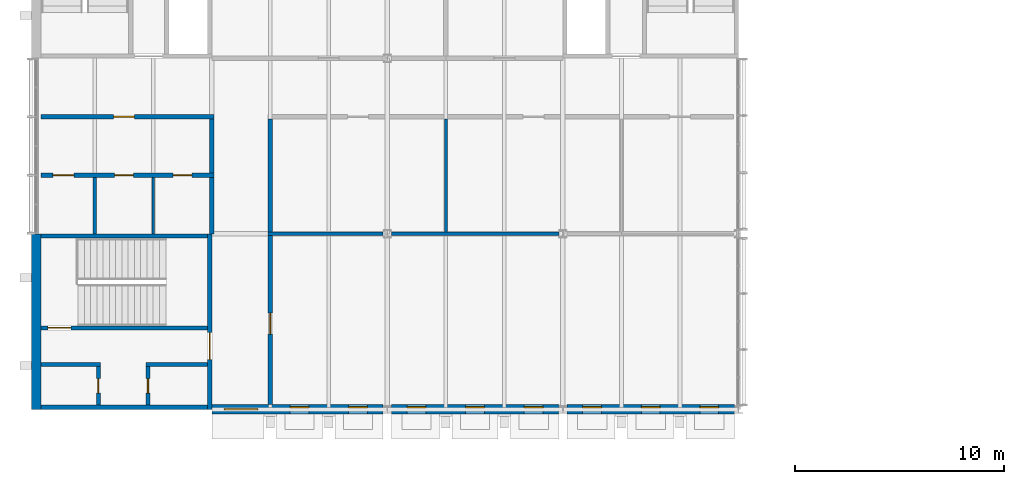
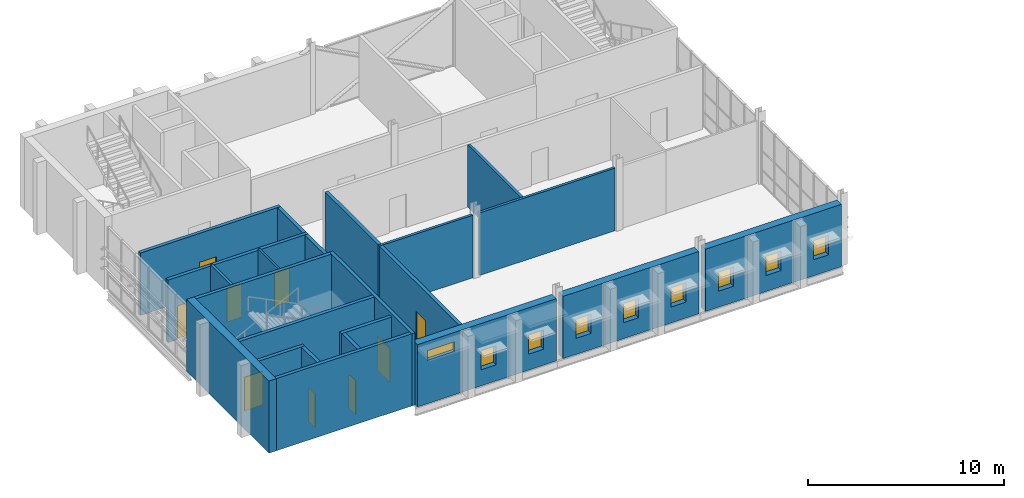
# One storey, part 14 of 22: 23 walls, 9 doors, 9 windows, 18 openings.
"""IFC4 building model written with IfcOpenShell, lengths in metres."""

from ifc_helpers import new_model, si_unit, direction, frame, frame_2d, origin, place, context, subcontext, project, spatial, rectangle, extrude, material, layer, layer_set, type_object, element, fill, save


model = new_model("IFC4")

# Units and contexts
model_context = context("Model", 3, precision=1e-05, world=origin(), true_north=direction((0.0, 1.0)))
body_context = subcontext(model_context, "Body", "Model", "MODEL_VIEW")
ifc_project = project(units=[si_unit("LENGTHUNIT", "METRE"), si_unit("AREAUNIT", "SQUARE_METRE"), si_unit("VOLUMEUNIT", "CUBIC_METRE"), si_unit("PLANEANGLEUNIT", "RADIAN"), si_unit("MASSUNIT", "GRAM", prefix="KILO")], contexts=[model_context])

# Site, building, storey
site_placement = place(None, origin())
site = spatial("IfcSite", under=ifc_project, at=site_placement, CompositionType="ELEMENT")
building_placement = place(site_placement, origin())
building = spatial("IfcBuilding", under=site, at=building_placement, Name="Ardhachandra Cancer Care Centre", CompositionType="ELEMENT")
storey_placement = place(building_placement, frame((0.0, 0.0, 18.0)))
storey = spatial("IfcBuildingStorey", under=building, at=storey_placement, Name="L04", CompositionType="ELEMENT", Elevation=18.0)

# Wall, openings, windows
ifc_material_1 = material(Name="Brick masonry (clay brick, cement mortar) with mineral wool cavity insulation", Category="masonry")
ifc_layer_1 = layer(ifc_material_1, 0.449951171875)
ifc_layer_set_1 = layer_set([ifc_layer_1], Name="Brick masonry (clay brick, cement mortar) with mineral wool cavity insulation")
wall_type_1 = type_object("IfcWallType", Name="Brick wall 450", PredefinedType="SOLIDWALL", material=ifc_layer_set_1)
wall_1_placement = place(storey_placement, frame((19.199951171875, 71.39990234375, 0.0), z_axis=(0.0, 0.0, 1.0), x_axis=(1.0, 0.0, 0.0)))
wall_1 = element("IfcWall", 1, at=wall_1_placement, inside=storey, type_object=wall_type_1, Name="E/wall/L04/s/0019200_0071400", PredefinedType="SOLIDWALL", context=body_context, shape_type="SweptSolid", body=[
    extrude(rectangle(XDim=8.20458984375, YDim=0.449951171875, at=frame_2d((4.102294921875, 0.0))), origin(), (0.0, 0.0, 1.0), 3.885986328125),
])
opening_1_placement = place(wall_1_placement, frame((0.60009765625, 0.0, 2.699951171875)))
opening_1 = element("IfcOpeningElement", 2, at=opening_1_placement, cuts=wall_1, Name="Opening W3", PredefinedType="OPENING", context=body_context, shape_type="SweptSolid", body=[
    extrude(rectangle(XDim=1.60009765625, YDim=0.60009765625, at=frame_2d((0.800048828125, 0.300048828125))), frame((0.0, 0.23486328125, 0.0), z_axis=(0.0, -1.0, 0.0), x_axis=(1.0, 0.0, 0.0)), (0.0, 0.0, 1.0), 0.469970703125),
])
opening_2_placement = place(wall_1_placement, frame((3.75, 0.0, 1.0)))
opening_2 = element("IfcOpeningElement", 3, at=opening_2_placement, cuts=wall_1, Name="Opening W10", PredefinedType="OPENING", context=body_context, shape_type="SweptSolid", body=[
    extrude(rectangle(XDim=0.89990234375, YDim=1.199951171875, at=frame_2d((0.449951171875, 0.60009765625))), frame((0.0, 0.23486328125, 0.0), z_axis=(0.0, -1.0, 0.0), x_axis=(1.0, 0.0, 0.0)), (0.0, 0.0, 1.0), 0.469970703125),
])
opening_3_placement = place(wall_1_placement, frame((6.550048828125, 0.0, 1.0)))
opening_3 = element("IfcOpeningElement", 4, at=opening_3_placement, cuts=wall_1, Name="Opening W10", PredefinedType="OPENING", context=body_context, shape_type="SweptSolid", body=[
    extrude(rectangle(XDim=0.89990234375, YDim=1.199951171875, at=frame_2d((0.449951171875, 0.60009765625))), frame((0.0, 0.23486328125, 0.0), z_axis=(0.0, -1.0, 0.0), x_axis=(1.0, 0.0, 0.0)), (0.0, 0.0, 1.0), 0.469970703125),
])
ifc_material_2 = material(Name="Aluminium frame with double-glazed unit", Category="aluminium")
window_type_1 = type_object("IfcWindowType", Name="Clerestory window 1600 x 600", PartitioningType="SINGLE_PANEL", PredefinedType="WINDOW", material=ifc_material_2)
window_1_placement = place(opening_1_placement, origin())
window_1 = element("IfcWindow", 5, at=window_1_placement, inside=storey, type_object=window_type_1, Name="W3 window L04 s/0019200_0071400 1", OverallHeight=0.60009765625, OverallWidth=1.60009765625, PartitioningType="SINGLE_PANEL", PredefinedType="WINDOW", context=body_context, shape_type="SweptSolid", body=[
    extrude(rectangle(XDim=1.60009765625, YDim=0.60009765625, at=frame_2d((0.800048828125, 0.300048828125))), frame((0.0, 0.030029296875, 0.0), z_axis=(0.0, -1.0, 0.0), x_axis=(1.0, 0.0, 0.0)), (0.0, 0.0, 1.0), 0.06005859375),
])
fill(opening_1, window_1)
ifc_material_3 = material(Name="Aluminium frame with double-glazed unit", Category="aluminium")
window_type_2 = type_object("IfcWindowType", Name="Small deep-set window 900 x 1200", PartitioningType="SINGLE_PANEL", PredefinedType="WINDOW", material=ifc_material_3)
window_2_placement = place(opening_2_placement, origin())
window_2 = element("IfcWindow", 6, at=window_2_placement, inside=storey, type_object=window_type_2, Name="W10 window L04 s/0019200_0071400 2", OverallHeight=1.199951171875, OverallWidth=0.89990234375, PartitioningType="SINGLE_PANEL", PredefinedType="WINDOW", context=body_context, shape_type="SweptSolid", body=[
    extrude(rectangle(XDim=0.89990234375, YDim=1.199951171875, at=frame_2d((0.449951171875, 0.60009765625))), frame((0.0, 0.135009765625, 0.0), z_axis=(0.0, -1.0, 0.0), x_axis=(1.0, 0.0, 0.0)), (0.0, 0.0, 1.0), 0.06005859375),
])
fill(opening_2, window_2)
window_3_placement = place(opening_3_placement, origin())
window_3 = element("IfcWindow", 7, at=window_3_placement, inside=storey, type_object=window_type_2, Name="W10 window L04 s/0019200_0071400 3", OverallHeight=1.199951171875, OverallWidth=0.89990234375, PartitioningType="SINGLE_PANEL", PredefinedType="WINDOW", context=body_context, shape_type="SweptSolid", body=[
    extrude(rectangle(XDim=0.89990234375, YDim=1.199951171875, at=frame_2d((0.449951171875, 0.60009765625))), frame((0.0, 0.135009765625, 0.0), z_axis=(0.0, -1.0, 0.0), x_axis=(1.0, 0.0, 0.0)), (0.0, 0.0, 1.0), 0.06005859375),
])
fill(opening_3, window_3)

wall_2_placement = place(storey_placement, frame((27.79541015625, 71.39990234375, 0.0), z_axis=(0.0, 0.0, 1.0), x_axis=(1.0, 0.0, 0.0)))
wall_2 = element("IfcWall", 8, at=wall_2_placement, inside=storey, type_object=wall_type_1, Name="E/wall/L04/s/0027600_0071400", PredefinedType="SOLIDWALL", context=body_context, shape_type="SweptSolid", body=[
    extrude(rectangle(XDim=8.009033203125, YDim=0.449951171875, at=frame_2d((4.00439453125, 0.0))), origin(), (0.0, 0.0, 1.0), 3.885986328125),
])
opening_4_placement = place(wall_2_placement, frame((0.75439453125, 0.0, 1.0)))
opening_4 = element("IfcOpeningElement", 9, at=opening_4_placement, cuts=wall_2, Name="Opening W10", PredefinedType="OPENING", context=body_context, shape_type="SweptSolid", body=[
    extrude(rectangle(XDim=0.89990234375, YDim=1.199951171875, at=frame_2d((0.449951171875, 0.60009765625))), frame((0.0, 0.23486328125, 0.0), z_axis=(0.0, -1.0, 0.0), x_axis=(1.0, 0.0, 0.0)), (0.0, 0.0, 1.0), 0.469970703125),
])
opening_5_placement = place(wall_2_placement, frame((3.554443359375, 0.0, 1.0)))
opening_5 = element("IfcOpeningElement", 10, at=opening_5_placement, cuts=wall_2, Name="Opening W10", PredefinedType="OPENING", context=body_context, shape_type="SweptSolid", body=[
    extrude(rectangle(XDim=0.89990234375, YDim=1.199951171875, at=frame_2d((0.449951171875, 0.60009765625))), frame((0.0, 0.23486328125, 0.0), z_axis=(0.0, -1.0, 0.0), x_axis=(1.0, 0.0, 0.0)), (0.0, 0.0, 1.0), 0.469970703125),
])
opening_6_placement = place(wall_2_placement, frame((6.3544921875, 0.0, 1.0)))
opening_6 = element("IfcOpeningElement", 11, at=opening_6_placement, cuts=wall_2, Name="Opening W10", PredefinedType="OPENING", context=body_context, shape_type="SweptSolid", body=[
    extrude(rectangle(XDim=0.89990234375, YDim=1.199951171875, at=frame_2d((0.449951171875, 0.60009765625))), frame((0.0, 0.23486328125, 0.0), z_axis=(0.0, -1.0, 0.0), x_axis=(1.0, 0.0, 0.0)), (0.0, 0.0, 1.0), 0.469970703125),
])
window_4_placement = place(opening_4_placement, origin())
window_4 = element("IfcWindow", 12, at=window_4_placement, inside=storey, type_object=window_type_2, Name="W10 window L04 s/0027600_0071400 1", OverallHeight=1.199951171875, OverallWidth=0.89990234375, PartitioningType="SINGLE_PANEL", PredefinedType="WINDOW", context=body_context, shape_type="SweptSolid", body=[
    extrude(rectangle(XDim=0.89990234375, YDim=1.199951171875, at=frame_2d((0.449951171875, 0.60009765625))), frame((0.0, 0.135009765625, 0.0), z_axis=(0.0, -1.0, 0.0), x_axis=(1.0, 0.0, 0.0)), (0.0, 0.0, 1.0), 0.06005859375),
])
fill(opening_4, window_4)
window_5_placement = place(opening_5_placement, origin())
window_5 = element("IfcWindow", 13, at=window_5_placement, inside=storey, type_object=window_type_2, Name="W10 window L04 s/0027600_0071400 2", OverallHeight=1.199951171875, OverallWidth=0.89990234375, PartitioningType="SINGLE_PANEL", PredefinedType="WINDOW", context=body_context, shape_type="SweptSolid", body=[
    extrude(rectangle(XDim=0.89990234375, YDim=1.199951171875, at=frame_2d((0.449951171875, 0.60009765625))), frame((0.0, 0.135009765625, 0.0), z_axis=(0.0, -1.0, 0.0), x_axis=(1.0, 0.0, 0.0)), (0.0, 0.0, 1.0), 0.06005859375),
])
fill(opening_5, window_5)
window_6_placement = place(opening_6_placement, origin())
window_6 = element("IfcWindow", 14, at=window_6_placement, inside=storey, type_object=window_type_2, Name="W10 window L04 s/0027600_0071400 3", OverallHeight=1.199951171875, OverallWidth=0.89990234375, PartitioningType="SINGLE_PANEL", PredefinedType="WINDOW", context=body_context, shape_type="SweptSolid", body=[
    extrude(rectangle(XDim=0.89990234375, YDim=1.199951171875, at=frame_2d((0.449951171875, 0.60009765625))), frame((0.0, 0.135009765625, 0.0), z_axis=(0.0, -1.0, 0.0), x_axis=(1.0, 0.0, 0.0)), (0.0, 0.0, 1.0), 0.06005859375),
])
fill(opening_6, window_6)

wall_3_placement = place(storey_placement, frame((36.195556640625, 71.39990234375, 0.0), z_axis=(0.0, 0.0, 1.0), x_axis=(1.0, 0.0, 0.0)))
wall_3 = element("IfcWall", 15, at=wall_3_placement, inside=storey, type_object=wall_type_1, Name="E/wall/L04/s/0036000_0071400", PredefinedType="SOLIDWALL", context=body_context, shape_type="SweptSolid", body=[
    extrude(rectangle(XDim=8.009033203125, YDim=0.449951171875, at=frame_2d((4.00439453125, 0.0))), origin(), (0.0, 0.0, 1.0), 3.885986328125),
])
opening_7_placement = place(wall_3_placement, frame((0.75439453125, 0.0, 1.0)))
opening_7 = element("IfcOpeningElement", 16, at=opening_7_placement, cuts=wall_3, Name="Opening W10", PredefinedType="OPENING", context=body_context, shape_type="SweptSolid", body=[
    extrude(rectangle(XDim=0.89990234375, YDim=1.199951171875, at=frame_2d((0.449951171875, 0.60009765625))), frame((0.0, 0.23486328125, 0.0), z_axis=(0.0, -1.0, 0.0), x_axis=(1.0, 0.0, 0.0)), (0.0, 0.0, 1.0), 0.469970703125),
])
opening_8_placement = place(wall_3_placement, frame((3.554443359375, 0.0, 1.0)))
opening_8 = element("IfcOpeningElement", 17, at=opening_8_placement, cuts=wall_3, Name="Opening W10", PredefinedType="OPENING", context=body_context, shape_type="SweptSolid", body=[
    extrude(rectangle(XDim=0.89990234375, YDim=1.199951171875, at=frame_2d((0.449951171875, 0.60009765625))), frame((0.0, 0.23486328125, 0.0), z_axis=(0.0, -1.0, 0.0), x_axis=(1.0, 0.0, 0.0)), (0.0, 0.0, 1.0), 0.469970703125),
])
opening_9_placement = place(wall_3_placement, frame((6.3544921875, 0.0, 1.0)))
opening_9 = element("IfcOpeningElement", 18, at=opening_9_placement, cuts=wall_3, Name="Opening W10", PredefinedType="OPENING", context=body_context, shape_type="SweptSolid", body=[
    extrude(rectangle(XDim=0.89990234375, YDim=1.199951171875, at=frame_2d((0.449951171875, 0.60009765625))), frame((0.0, 0.23486328125, 0.0), z_axis=(0.0, -1.0, 0.0), x_axis=(1.0, 0.0, 0.0)), (0.0, 0.0, 1.0), 0.469970703125),
])
window_7_placement = place(opening_7_placement, origin())
window_7 = element("IfcWindow", 19, at=window_7_placement, inside=storey, type_object=window_type_2, Name="W10 window L04 s/0036000_0071400 1", OverallHeight=1.199951171875, OverallWidth=0.89990234375, PartitioningType="SINGLE_PANEL", PredefinedType="WINDOW", context=body_context, shape_type="SweptSolid", body=[
    extrude(rectangle(XDim=0.89990234375, YDim=1.199951171875, at=frame_2d((0.449951171875, 0.60009765625))), frame((0.0, 0.135009765625, 0.0), z_axis=(0.0, -1.0, 0.0), x_axis=(1.0, 0.0, 0.0)), (0.0, 0.0, 1.0), 0.06005859375),
])
fill(opening_7, window_7)
window_8_placement = place(opening_8_placement, origin())
window_8 = element("IfcWindow", 20, at=window_8_placement, inside=storey, type_object=window_type_2, Name="W10 window L04 s/0036000_0071400 2", OverallHeight=1.199951171875, OverallWidth=0.89990234375, PartitioningType="SINGLE_PANEL", PredefinedType="WINDOW", context=body_context, shape_type="SweptSolid", body=[
    extrude(rectangle(XDim=0.89990234375, YDim=1.199951171875, at=frame_2d((0.449951171875, 0.60009765625))), frame((0.0, 0.135009765625, 0.0), z_axis=(0.0, -1.0, 0.0), x_axis=(1.0, 0.0, 0.0)), (0.0, 0.0, 1.0), 0.06005859375),
])
fill(opening_8, window_8)
window_9_placement = place(opening_9_placement, origin())
window_9 = element("IfcWindow", 21, at=window_9_placement, inside=storey, type_object=window_type_2, Name="W10 window L04 s/0036000_0071400 3", OverallHeight=1.199951171875, OverallWidth=0.89990234375, PartitioningType="SINGLE_PANEL", PredefinedType="WINDOW", context=body_context, shape_type="SweptSolid", body=[
    extrude(rectangle(XDim=0.89990234375, YDim=1.199951171875, at=frame_2d((0.449951171875, 0.60009765625))), frame((0.0, 0.135009765625, 0.0), z_axis=(0.0, -1.0, 0.0), x_axis=(1.0, 0.0, 0.0)), (0.0, 0.0, 1.0), 0.06005859375),
])
fill(opening_9, window_9)

# Wall, openings, doors
ifc_material_4 = material(Name="Gypsum board corridor partition on steel studs", Category="steel")
ifc_layer_2 = layer(ifc_material_4, 0.199951171875)
ifc_layer_set_2 = layer_set([ifc_layer_2], Name="Gypsum board corridor partition on steel studs")
wall_type_2 = type_object("IfcWallType", Name="CORRIDOR WALL 200", PredefinedType="PARTITIONING", material=ifc_layer_set_2)
wall_4_placement = place(storey_placement, frame((11.02490234375, 82.60009765625, 0.0), z_axis=(0.0, 0.0, 1.0), x_axis=(1.0, 0.0, 0.0)))
wall_4 = element("IfcWall", 22, at=wall_4_placement, inside=storey, type_object=wall_type_2, Name="R/wall/L04/h0082600_0011025", PredefinedType="PARTITIONING", context=body_context, shape_type="SweptSolid", body=[
    extrude(rectangle(XDim=8.275146484375, YDim=0.199951171875, at=frame_2d((4.1376953125, 0.0))), origin(), (0.0, 0.0, 1.0), 3.89990234375),
])
opening_10_placement = place(wall_4_placement, frame((0.574951171875, 0.0, 0.0)))
opening_10 = element("IfcOpeningElement", 23, at=opening_10_placement, cuts=wall_4, Name="Opening L04-0002", PredefinedType="OPENING", context=body_context, shape_type="SweptSolid", body=[
    extrude(rectangle(XDim=1.0, YDim=2.10009765625, at=frame_2d((0.5, 1.050048828125))), frame((0.0, 0.10986328125, 0.0), z_axis=(0.0, -1.0, 0.0), x_axis=(1.0, 0.0, 0.0)), (0.0, 0.0, 1.0), 0.219970703125),
])
opening_11_placement = place(wall_4_placement, frame((3.52490234375, 0.0, 0.0)))
opening_11 = element("IfcOpeningElement", 24, at=opening_11_placement, cuts=wall_4, Name="Opening L04-0003", PredefinedType="OPENING", context=body_context, shape_type="SweptSolid", body=[
    extrude(rectangle(XDim=0.89990234375, YDim=2.10009765625, at=frame_2d((0.449951171875, 1.050048828125))), frame((0.0, 0.10986328125, 0.0), z_axis=(0.0, -1.0, 0.0), x_axis=(1.0, 0.0, 0.0)), (0.0, 0.0, 1.0), 0.219970703125),
])
opening_12_placement = place(wall_4_placement, frame((6.324951171875, 0.0, 0.0)))
opening_12 = element("IfcOpeningElement", 25, at=opening_12_placement, cuts=wall_4, Name="Opening L04-0004", PredefinedType="OPENING", context=body_context, shape_type="SweptSolid", body=[
    extrude(rectangle(XDim=0.89990234375, YDim=2.10009765625, at=frame_2d((0.449951171875, 1.050048828125))), frame((0.0, 0.10986328125, 0.0), z_axis=(0.0, -1.0, 0.0), x_axis=(1.0, 0.0, 0.0)), (0.0, 0.0, 1.0), 0.219970703125),
])
ifc_material_5 = material(Name="Timber fire door with smoke seals", Category="wood")
door_type_1 = type_object("IfcDoorType", Name="FIRE DOOR SINGLE 1000x2100 FD30S", OperationType="NOTDEFINED", PredefinedType="DOOR", material=ifc_material_5)
door_1_placement = place(opening_10_placement, origin())
door_1 = element("IfcDoor", 26, at=door_1_placement, inside=storey, type_object=door_type_1, Name="Door L04-0002", OperationType="SINGLE_SWING_RIGHT", OverallHeight=2.10009765625, OverallWidth=1.0, PredefinedType="DOOR", context=body_context, shape_type="SweptSolid", body=[
    extrude(rectangle(XDim=1.0, YDim=2.10009765625, at=frame_2d((0.5, 1.050048828125))), frame((0.0, 0.02490234375, 0.0), z_axis=(0.0, -1.0, 0.0), x_axis=(1.0, 0.0, 0.0)), (0.0, 0.0, 1.0), 0.050048828125),
])
fill(opening_10, door_1)
ifc_material_6 = material(Name="Timber fire door with smoke seals", Category="wood")
door_type_2 = type_object("IfcDoorType", Name="FIRE DOOR WC 900x2100 FD30S", OperationType="NOTDEFINED", PredefinedType="DOOR", material=ifc_material_6)
door_2_placement = place(opening_11_placement, origin())
door_2 = element("IfcDoor", 27, at=door_2_placement, inside=storey, type_object=door_type_2, Name="Door L04-0003", OperationType="SINGLE_SWING_RIGHT", OverallHeight=2.10009765625, OverallWidth=0.89990234375, PredefinedType="DOOR", context=body_context, shape_type="SweptSolid", body=[
    extrude(rectangle(XDim=0.89990234375, YDim=2.10009765625, at=frame_2d((0.449951171875, 1.050048828125))), frame((0.0, 0.02490234375, 0.0), z_axis=(0.0, -1.0, 0.0), x_axis=(1.0, 0.0, 0.0)), (0.0, 0.0, 1.0), 0.050048828125),
])
fill(opening_11, door_2)
door_3_placement = place(opening_12_placement, origin())
door_3 = element("IfcDoor", 28, at=door_3_placement, inside=storey, type_object=door_type_2, Name="Door L04-0004", OperationType="SINGLE_SWING_LEFT", OverallHeight=2.10009765625, OverallWidth=0.89990234375, PredefinedType="DOOR", context=body_context, shape_type="SweptSolid", body=[
    extrude(rectangle(XDim=0.89990234375, YDim=2.10009765625, at=frame_2d((0.449951171875, 1.050048828125))), frame((0.0, 0.02490234375, 0.0), z_axis=(0.0, -1.0, 0.0), x_axis=(1.0, 0.0, 0.0)), (0.0, 0.0, 1.0), 0.050048828125),
])
fill(opening_12, door_3)

# Wall, opening, door
wall_5_placement = place(storey_placement, frame((11.02490234375, 85.39990234375, 0.0), z_axis=(0.0, 0.0, 1.0), x_axis=(1.0, 0.0, 0.0)))
wall_5 = element("IfcWall", 29, at=wall_5_placement, inside=storey, type_object=wall_type_2, Name="R/wall/L04/h0085400_0011025", PredefinedType="PARTITIONING", context=body_context, shape_type="SweptSolid", body=[
    extrude(rectangle(XDim=8.275146484375, YDim=0.199951171875, at=frame_2d((4.1376953125, 0.0))), origin(), (0.0, 0.0, 1.0), 3.89990234375),
])
opening_13_placement = place(wall_5_placement, frame((3.47509765625, 0.0, 0.0)))
opening_13 = element("IfcOpeningElement", 30, at=opening_13_placement, cuts=wall_5, Name="Opening L04-0005", PredefinedType="OPENING", context=body_context, shape_type="SweptSolid", body=[
    extrude(rectangle(XDim=1.0, YDim=2.10009765625, at=frame_2d((0.5, 1.050048828125))), frame((0.0, 0.10986328125, 0.0), z_axis=(0.0, -1.0, 0.0), x_axis=(1.0, 0.0, 0.0)), (0.0, 0.0, 1.0), 0.219970703125),
])
door_4_placement = place(opening_13_placement, origin())
door_4 = element("IfcDoor", 31, at=door_4_placement, inside=storey, type_object=door_type_1, Name="Door L04-0005", OperationType="SINGLE_SWING_RIGHT", OverallHeight=2.10009765625, OverallWidth=1.0, PredefinedType="DOOR", context=body_context, shape_type="SweptSolid", body=[
    extrude(rectangle(XDim=1.0, YDim=2.10009765625, at=frame_2d((0.5, 1.050048828125))), frame((0.0, 0.02490234375, 0.0), z_axis=(0.0, -1.0, 0.0), x_axis=(1.0, 0.0, 0.0)), (0.0, 0.0, 1.0), 0.050048828125),
])
fill(opening_13, door_4)

# Walls
wall_6_placement = place(storey_placement, frame((19.199951171875, 79.800048828125, 0.0), z_axis=(0.0, 0.0, 1.0), x_axis=(0.0, 1.0, 0.0)))
element("IfcWall", 32, at=wall_6_placement, inside=storey, type_object=wall_type_2, Name="R/wall/L04/v0019200_0079800", PredefinedType="PARTITIONING", context=body_context, shape_type="SweptSolid", body=[
    extrude(rectangle(XDim=2.699951171875, YDim=0.199951171875, at=frame_2d((1.35009765625, 0.0))), origin(), (0.0, 0.0, 1.0), 3.89990234375),
])
wall_7_placement = place(storey_placement, frame((19.199951171875, 82.699951171875, 0.0), z_axis=(0.0, 0.0, 1.0), x_axis=(0.0, 1.0, 0.0)))
element("IfcWall", 33, at=wall_7_placement, inside=storey, type_object=wall_type_2, Name="R/wall/L04/v0019200_0082700", PredefinedType="PARTITIONING", context=body_context, shape_type="SweptSolid", body=[
    extrude(rectangle(XDim=2.60009765625, YDim=0.199951171875, at=frame_2d((1.300048828125, 0.0))), origin(), (0.0, 0.0, 1.0), 3.89990234375),
])

# Wall, opening, door
wall_8_placement = place(storey_placement, frame((22.0, 71.625, 0.0), z_axis=(0.0, 0.0, 1.0), x_axis=(0.0, 1.0, 0.0)))
wall_8 = element("IfcWall", 34, at=wall_8_placement, inside=storey, type_object=wall_type_2, Name="R/wall/L04/v0022000_0071625", PredefinedType="PARTITIONING", context=body_context, shape_type="SweptSolid", body=[
    extrude(rectangle(XDim=8.10009765625, YDim=0.199951171875, at=frame_2d((4.050048828125, 0.0))), origin(), (0.0, 0.0, 1.0), 3.89990234375),
])
opening_14_placement = place(wall_8_placement, frame((3.375, 0.0, 0.0)))
opening_14 = element("IfcOpeningElement", 35, at=opening_14_placement, cuts=wall_8, Name="Opening L04-0020", PredefinedType="OPENING", context=body_context, shape_type="SweptSolid", body=[
    extrude(rectangle(XDim=1.0, YDim=2.10009765625, at=frame_2d((0.5, 1.050048828125))), frame((0.0, 0.10986328125, 0.0), z_axis=(0.0, -1.0, 0.0), x_axis=(1.0, 0.0, 0.0)), (0.0, 0.0, 1.0), 0.219970703125),
])
door_5_placement = place(opening_14_placement, origin())
door_5 = element("IfcDoor", 36, at=door_5_placement, inside=storey, type_object=door_type_1, Name="Door L04-0020", OperationType="SINGLE_SWING_RIGHT", OverallHeight=2.10009765625, OverallWidth=1.0, PredefinedType="DOOR", context=body_context, shape_type="SweptSolid", body=[
    extrude(rectangle(XDim=1.0, YDim=2.10009765625, at=frame_2d((0.5, 1.050048828125))), frame((0.0, 0.02490234375, 0.0), z_axis=(0.0, -1.0, 0.0), x_axis=(1.0, 0.0, 0.0)), (0.0, 0.0, 1.0), 0.050048828125),
])
fill(opening_14, door_5)

# Walls
wall_9_placement = place(storey_placement, frame((22.0, 79.875, 0.0), z_axis=(0.0, 0.0, 1.0), x_axis=(0.0, 1.0, 0.0)))
element("IfcWall", 37, at=wall_9_placement, inside=storey, type_object=wall_type_2, Name="R/wall/L04/v0022000_0079875", PredefinedType="PARTITIONING", context=body_context, shape_type="SweptSolid", body=[
    extrude(rectangle(XDim=5.425048828125, YDim=0.199951171875, at=frame_2d((2.71240234375, 0.0))), origin(), (0.0, 0.0, 1.0), 3.89990234375),
])
ifc_material_7 = material(Name="Concrete M40", Category="concrete")
ifc_layer_3 = layer(ifc_material_7, 0.449951171875)
ifc_layer_set_3 = layer_set([ifc_layer_3], Name="Concrete M40")
wall_type_3 = type_object("IfcWallType", Name="Core exterior wall RC 450", PredefinedType="SOLIDWALL", material=ifc_layer_set_3)
wall_10_placement = place(storey_placement, frame((10.800048828125, 79.800048828125, 0.0), z_axis=(0.0, 0.0, 1.0), x_axis=(0.0, -1.0, 0.0)))
element("IfcWall", 38, at=wall_10_placement, inside=storey, type_object=wall_type_3, Name="Core wall K6 FAR", PredefinedType="SOLIDWALL", context=body_context, shape_type="SweptSolid", body=[
    extrude(rectangle(XDim=8.400146484375, YDim=0.449951171875, at=frame_2d((4.2001953125, 0.0))), origin(), (0.0, 0.0, 1.0), 4.5),
])

# Wall, opening, door
ifc_material_8 = material(Name="Concrete M40", Category="concrete")
ifc_layer_4 = layer(ifc_material_8, 0.199951171875)
ifc_layer_set_4 = layer_set([ifc_layer_4], Name="Concrete M40")
wall_type_4 = type_object("IfcWallType", Name="Core wall RC 200", PredefinedType="SOLIDWALL", material=ifc_layer_set_4)
wall_11_placement = place(storey_placement, frame((19.10009765625, 79.800048828125, 0.0), z_axis=(0.0, 0.0, 1.0), x_axis=(0.0, -1.0, 0.0)))
wall_11 = element("IfcWall", 39, at=wall_11_placement, inside=storey, type_object=wall_type_4, Name="Core wall K6 ENT", PredefinedType="SOLIDWALL", context=body_context, shape_type="SweptSolid", body=[
    extrude(rectangle(XDim=8.400146484375, YDim=0.199951171875, at=frame_2d((4.2001953125, 0.0))), origin(), (0.0, 0.0, 1.0), 4.5),
])
opening_15_placement = place(wall_11_placement, frame((4.72509765625, 0.0, 0.0)))
opening_15 = element("IfcOpeningElement", 40, at=opening_15_placement, cuts=wall_11, Name="Opening L04-K06-1", PredefinedType="OPENING", context=body_context, shape_type="SweptSolid", body=[
    extrude(rectangle(XDim=1.300048828125, YDim=2.10009765625, at=frame_2d((0.64990234375, 1.050048828125))), frame((0.0, 0.10986328125, 0.0), z_axis=(0.0, -1.0, 0.0), x_axis=(1.0, 0.0, 0.0)), (0.0, 0.0, 1.0), 0.219970703125),
])
ifc_material_9 = material(Name="Steel door set", Category="steel")
door_type_3 = type_object("IfcDoorType", Name="Core entry double door 1300x2100 FD60", OperationType="DOUBLE_DOOR_DOUBLE_SWING", PredefinedType="DOOR", material=ifc_material_9)
door_6_placement = place(opening_15_placement, origin())
door_6 = element("IfcDoor", 41, at=door_6_placement, inside=storey, type_object=door_type_3, Name="Core entry door", OperationType="DOUBLE_DOOR_DOUBLE_SWING", OverallHeight=2.10009765625, OverallWidth=1.300048828125, PredefinedType="DOOR", context=body_context, shape_type="SweptSolid", body=[
    extrude(rectangle(XDim=1.300048828125, YDim=2.10009765625, at=frame_2d((0.64990234375, 1.050048828125))), frame((0.0, 0.02490234375, 0.0), z_axis=(0.0, -1.0, 0.0), x_axis=(1.0, 0.0, 0.0)), (0.0, 0.0, 1.0), 0.050048828125),
])
fill(opening_15, door_6)

# Walls
for number, where, z_axis, x_axis, name in (
    (42, (19.0, 79.699951171875, 0.0), (0.0, 0.0, 1.0), (-1.0, 0.0, 0.0), "Core wall K6 UW"),
    (43, (19.0, 71.5, 0.0), (0.0, 0.0, 1.0), (-1.0, 0.0, 0.0), "Core wall K6 UE"),
):
    element("IfcWall", number, at=place(storey_placement, frame(where, z_axis=z_axis, x_axis=x_axis)), inside=storey, type_object=wall_type_4, Name=name, PredefinedType="SOLIDWALL", context=body_context, shape_type="SweptSolid", body=[
        extrude(rectangle(XDim=7.97509765625, YDim=0.199951171875, at=frame_2d((3.987548828125, 0.0))), origin(), (0.0, 0.0, 1.0), 4.5),
    ])

# Wall, opening, door
wall_12_placement = place(storey_placement, frame((19.0, 75.300048828125, 0.0), z_axis=(0.0, 0.0, 1.0), x_axis=(-1.0, 0.0, 0.0)))
wall_12 = element("IfcWall", 44, at=wall_12_placement, inside=storey, type_object=wall_type_4, Name="Core wall K6 P1", PredefinedType="SOLIDWALL", context=body_context, shape_type="SweptSolid", body=[
    extrude(rectangle(XDim=7.97509765625, YDim=0.199951171875, at=frame_2d((3.987548828125, 0.0))), origin(), (0.0, 0.0, 1.0), 4.5),
])
opening_16_placement = place(wall_12_placement, frame((6.53759765625, 0.0, 0.0)))
opening_16 = element("IfcOpeningElement", 45, at=opening_16_placement, cuts=wall_12, Name="Opening L04-K06-2", PredefinedType="OPENING", context=body_context, shape_type="SweptSolid", body=[
    extrude(rectangle(XDim=1.10009765625, YDim=2.10009765625, at=frame_2d((0.550048828125, 1.050048828125))), frame((0.0, 0.10986328125, 0.0), z_axis=(0.0, -1.0, 0.0), x_axis=(1.0, 0.0, 0.0)), (0.0, 0.0, 1.0), 0.219970703125),
])
ifc_material_10 = material(Name="Steel door set", Category="steel")
door_type_4 = type_object("IfcDoorType", Name="Stair door 1100x2100 FD60S", OperationType="NOTDEFINED", PredefinedType="DOOR", material=ifc_material_10)
door_7_placement = place(opening_16_placement, origin())
door_7 = element("IfcDoor", 46, at=door_7_placement, inside=storey, type_object=door_type_4, Name="Stair door", OperationType="SINGLE_SWING_LEFT", OverallHeight=2.10009765625, OverallWidth=1.10009765625, PredefinedType="DOOR", context=body_context, shape_type="SweptSolid", body=[
    extrude(rectangle(XDim=1.10009765625, YDim=2.10009765625, at=frame_2d((0.550048828125, 1.050048828125))), frame((0.0, 0.02490234375, 0.0), z_axis=(0.0, -1.0, 0.0), x_axis=(1.0, 0.0, 0.0)), (0.0, 0.0, 1.0), 0.050048828125),
])
fill(opening_16, door_7)

# Walls
wall_13_placement = place(storey_placement, frame((19.0, 73.550048828125, 0.0), z_axis=(0.0, 0.0, 1.0), x_axis=(-1.0, 0.0, 0.0)))
element("IfcWall", 47, at=wall_13_placement, inside=storey, type_object=wall_type_4, Name="Core wall K6 P2A", PredefinedType="SOLIDWALL", context=body_context, shape_type="SweptSolid", body=[
    extrude(rectangle(XDim=2.949951171875, YDim=0.199951171875, at=frame_2d((1.47509765625, 0.0))), origin(), (0.0, 0.0, 1.0), 4.300048828125),
])
wall_14_placement = place(storey_placement, frame((13.875, 73.550048828125, 0.0), z_axis=(0.0, 0.0, 1.0), x_axis=(-1.0, 0.0, 0.0)))
element("IfcWall", 48, at=wall_14_placement, inside=storey, type_object=wall_type_4, Name="Core wall K6 P2B", PredefinedType="SOLIDWALL", context=body_context, shape_type="SweptSolid", body=[
    extrude(rectangle(XDim=2.85009765625, YDim=0.199951171875, at=frame_2d((1.425048828125, 0.0))), origin(), (0.0, 0.0, 1.0), 4.300048828125),
])

# Wall, opening, door
wall_15_placement = place(storey_placement, frame((16.14990234375, 73.449951171875, 0.0), z_axis=(0.0, 0.0, 1.0), x_axis=(0.0, -1.0, 0.0)))
wall_15 = element("IfcWall", 49, at=wall_15_placement, inside=storey, type_object=wall_type_4, Name="Core wall K6 W1", PredefinedType="SOLIDWALL", context=body_context, shape_type="SweptSolid", body=[
    extrude(rectangle(XDim=1.849853515625, YDim=0.199951171875, at=frame_2d((0.9248046875, 0.0))), origin(), (0.0, 0.0, 1.0), 4.300048828125),
])
opening_17_placement = place(wall_15_placement, frame((0.574951171875, 0.0, 0.0)))
opening_17 = element("IfcOpeningElement", 50, at=opening_17_placement, cuts=wall_15, Name="Opening L04-K06-3", PredefinedType="OPENING", context=body_context, shape_type="SweptSolid", body=[
    extrude(rectangle(XDim=0.699951171875, YDim=2.10009765625, at=frame_2d((0.35009765625, 1.050048828125))), frame((0.0, 0.10986328125, 0.0), z_axis=(0.0, -1.0, 0.0), x_axis=(1.0, 0.0, 0.0)), (0.0, 0.0, 1.0), 0.219970703125),
])
ifc_material_11 = material(Name="Steel door set", Category="steel")
door_type_5 = type_object("IfcDoorType", Name="Riser access door 700x2100 FD120S", OperationType="NOTDEFINED", PredefinedType="DOOR", material=ifc_material_11)
door_8_placement = place(opening_17_placement, origin())
door_8 = element("IfcDoor", 51, at=door_8_placement, inside=storey, type_object=door_type_5, Name="Riser access door", OperationType="SINGLE_SWING_RIGHT", OverallHeight=2.10009765625, OverallWidth=0.699951171875, PredefinedType="DOOR", context=body_context, shape_type="SweptSolid", body=[
    extrude(rectangle(XDim=0.699951171875, YDim=2.10009765625, at=frame_2d((0.35009765625, 1.050048828125))), frame((0.0, 0.02490234375, 0.0), z_axis=(0.0, -1.0, 0.0), x_axis=(1.0, 0.0, 0.0)), (0.0, 0.0, 1.0), 0.050048828125),
])
fill(opening_17, door_8)

wall_16_placement = place(storey_placement, frame((13.77490234375, 73.449951171875, 0.0), z_axis=(0.0, 0.0, 1.0), x_axis=(0.0, -1.0, 0.0)))
wall_16 = element("IfcWall", 52, at=wall_16_placement, inside=storey, type_object=wall_type_4, Name="Core wall K6 W2", PredefinedType="SOLIDWALL", context=body_context, shape_type="SweptSolid", body=[
    extrude(rectangle(XDim=1.849853515625, YDim=0.199951171875, at=frame_2d((0.9248046875, 0.0))), origin(), (0.0, 0.0, 1.0), 4.300048828125),
])
opening_18_placement = place(wall_16_placement, frame((0.574951171875, 0.0, 0.0)))
opening_18 = element("IfcOpeningElement", 53, at=opening_18_placement, cuts=wall_16, Name="Opening L04-K06-4", PredefinedType="OPENING", context=body_context, shape_type="SweptSolid", body=[
    extrude(rectangle(XDim=0.699951171875, YDim=2.10009765625, at=frame_2d((0.35009765625, 1.050048828125))), frame((0.0, 0.10986328125, 0.0), z_axis=(0.0, -1.0, 0.0), x_axis=(1.0, 0.0, 0.0)), (0.0, 0.0, 1.0), 0.219970703125),
])
door_9_placement = place(opening_18_placement, origin())
door_9 = element("IfcDoor", 54, at=door_9_placement, inside=storey, type_object=door_type_5, Name="Riser access door", OperationType="SINGLE_SWING_RIGHT", OverallHeight=2.10009765625, OverallWidth=0.699951171875, PredefinedType="DOOR", context=body_context, shape_type="SweptSolid", body=[
    extrude(rectangle(XDim=0.699951171875, YDim=2.10009765625, at=frame_2d((0.35009765625, 1.050048828125))), frame((0.0, 0.02490234375, 0.0), z_axis=(0.0, -1.0, 0.0), x_axis=(1.0, 0.0, 0.0)), (0.0, 0.0, 1.0), 0.050048828125),
])
fill(opening_18, door_9)

# Walls
ifc_material_12 = material(Name="Gypsum board partition on steel studs", Category="steel")
ifc_layer_5 = layer(ifc_material_12, 0.14990234375)
ifc_layer_set_5 = layer_set([ifc_layer_5], Name="Gypsum board partition on steel studs")
wall_type_5 = type_object("IfcWallType", Name="PARTITION 150 EI 60", PredefinedType="PARTITIONING", material=ifc_layer_set_5)
wall_17_placement = place(storey_placement, frame((30.39990234375, 79.875, 0.0), z_axis=(0.0, 0.0, 1.0), x_axis=(0.0, 1.0, 0.0)))
element("IfcWall", 55, at=wall_17_placement, inside=storey, type_object=wall_type_5, Name="R/wall/L04/v0030400_0079875", PredefinedType="PARTITIONING", context=body_context, shape_type="SweptSolid", body=[
    extrude(rectangle(XDim=5.425048828125, YDim=0.14990234375, at=frame_2d((2.71240234375, 0.0))), origin(), (0.0, 0.0, 1.0), 3.89990234375),
])
ifc_material_13 = material(Name="Concrete block masonry", Category="masonry")
ifc_layer_6 = layer(ifc_material_13, 0.10009765625)
ifc_layer_set_6 = layer_set([ifc_layer_6], Name="Concrete block masonry")
wall_type_6 = type_object("IfcWallType", Name="STORE PARTITION 100", PredefinedType="SOLIDWALL", material=ifc_layer_set_6)
wall_18_placement = place(storey_placement, frame((16.39990234375, 79.800048828125, 0.0), z_axis=(0.0, 0.0, 1.0), x_axis=(0.0, 1.0, 0.0)))
element("IfcWall", 56, at=wall_18_placement, inside=storey, type_object=wall_type_6, Name="R/wall/L04/v0016400_0079800", PredefinedType="SOLIDWALL", context=body_context, shape_type="SweptSolid", body=[
    extrude(rectangle(XDim=2.699951171875, YDim=0.10009765625, at=frame_2d((1.35009765625, 0.0))), origin(), (0.0, 0.0, 1.0), 3.99609375),
])
ifc_material_14 = material(Name="Tiled gypsum board partition on steel studs", Category="steel")
ifc_layer_7 = layer(ifc_material_14, 0.14990234375)
ifc_layer_set_7 = layer_set([ifc_layer_7], Name="Tiled gypsum board partition on steel studs")
wall_type_7 = type_object("IfcWallType", Name="WET ROOM PARTITION 150", PredefinedType="PARTITIONING", material=ifc_layer_set_7)
wall_19_placement = place(storey_placement, frame((13.60009765625, 79.800048828125, 0.0), z_axis=(0.0, 0.0, 1.0), x_axis=(0.0, 1.0, 0.0)))
element("IfcWall", 57, at=wall_19_placement, inside=storey, type_object=wall_type_7, Name="R/wall/L04/v0013600_0079800", PredefinedType="PARTITIONING", context=body_context, shape_type="SweptSolid", body=[
    extrude(rectangle(XDim=2.699951171875, YDim=0.14990234375, at=frame_2d((1.35009765625, 0.0))), origin(), (0.0, 0.0, 1.0), 3.99609375),
])
ifc_material_15 = material(Name="Tiled gypsum board partition on steel studs", Category="steel")
ifc_layer_8 = layer(ifc_material_15, 0.14990234375)
ifc_layer_set_8 = layer_set([ifc_layer_8], Name="Tiled gypsum board partition on steel studs")
wall_type_8 = type_object("IfcWallType", Name="WET ROOM PARTITION 150 EI 60", PredefinedType="PARTITIONING", material=ifc_layer_set_8)
wall_20_placement = place(storey_placement, frame((21.89990234375, 79.800048828125, 0.0), z_axis=(0.0, 0.0, 1.0), x_axis=(1.0, 0.0, 0.0)))
element("IfcWall", 58, at=wall_20_placement, inside=storey, type_object=wall_type_8, Name="R/wall/L04/h0079800_0021900", PredefinedType="PARTITIONING", context=body_context, shape_type="SweptSolid", body=[
    extrude(rectangle(XDim=5.504638671875, YDim=0.14990234375, at=frame_2d((2.75244140625, 0.0))), origin(), (0.0, 0.0, 1.0), 3.89990234375),
])
wall_21_placement = place(storey_placement, frame((27.79541015625, 79.800048828125, 0.0), z_axis=(0.0, 0.0, 1.0), x_axis=(1.0, 0.0, 0.0)))
element("IfcWall", 59, at=wall_21_placement, inside=storey, type_object=wall_type_8, Name="R/wall/L04/h0079800_0027796", PredefinedType="PARTITIONING", context=body_context, shape_type="SweptSolid", body=[
    extrude(rectangle(XDim=8.009033203125, YDim=0.14990234375, at=frame_2d((4.00439453125, 0.0))), origin(), (0.0, 0.0, 1.0), 3.89990234375),
])

save(model, "model.ifc")
